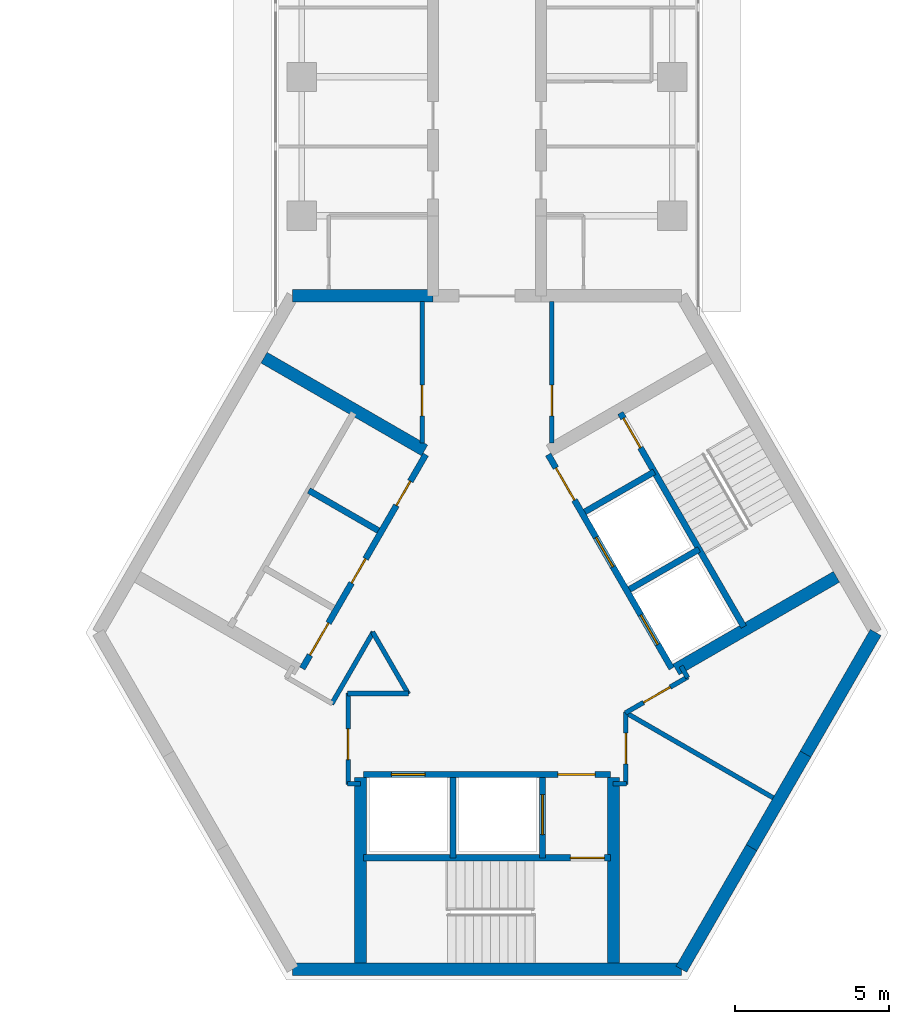
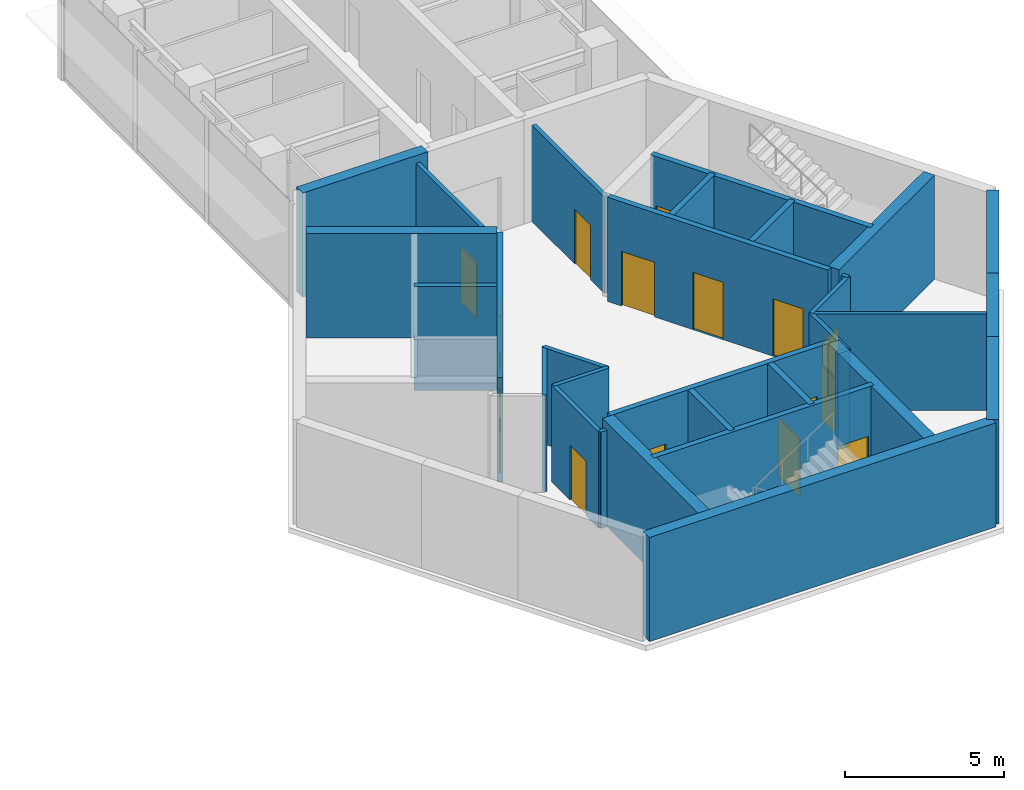
# One storey, part 8 of 11: 31 walls, 16 doors, 16 openings.
"""IFC4 building model written with IfcOpenShell, lengths in metres."""

from ifc_helpers import new_model, si_unit, direction, frame, frame_2d, origin, place, context, subcontext, project, spatial, rectangle, extrude, material, layer, layer_set, type_object, element, fill, save


model = new_model("IFC4")

# Units and contexts
model_context = context("Model", 3, precision=1e-05, world=origin(), true_north=direction((0.0, 1.0)))
body_context = subcontext(model_context, "Body", "Model", "MODEL_VIEW")
ifc_project = project(units=[si_unit("LENGTHUNIT", "METRE"), si_unit("AREAUNIT", "SQUARE_METRE"), si_unit("VOLUMEUNIT", "CUBIC_METRE"), si_unit("PLANEANGLEUNIT", "RADIAN"), si_unit("MASSUNIT", "GRAM", prefix="KILO")], contexts=[model_context])

# Site, building, storey
site_placement = place(None, origin())
site = spatial("IfcSite", under=ifc_project, at=site_placement, CompositionType="ELEMENT")
building_placement = place(site_placement, origin())
building = spatial("IfcBuilding", under=site, at=building_placement, Name="Upepo Twin Towers", CompositionType="ELEMENT")
storey_placement = place(building_placement, frame((0.0, 0.0, 287.5)))
storey = spatial("IfcBuildingStorey", under=building, at=storey_placement, Name="L70", CompositionType="ELEMENT", Elevation=287.5)

# Walls
ifc_material_1 = material(Name="Concrete C60/75", Category="concrete")
ifc_layer_1 = layer(ifc_material_1, 0.39990234375)
ifc_layer_set_1 = layer_set([ifc_layer_1], Name="Concrete C60/75")
wall_type_1 = type_object("IfcWallType", Name="Core wall 400 RC", PredefinedType="SHEAR", material=ifc_layer_set_1)
wall_1_placement = place(storey_placement, frame((56.75, -7.091552734375, 0.0), z_axis=(0.0, 0.0, 1.0), x_axis=(-1.0, 0.0, 0.0)))
element("IfcWall", 1, at=wall_1_placement, inside=storey, type_object=wall_type_1, Name="T2 core wall 000 L", PredefinedType="SHEAR", context=body_context, shape_type="SweptSolid", body=[
    extrude(rectangle(XDim=4.5478515625, YDim=0.39990234375, at=frame_2d((2.27392578125, 0.0))), origin(), (0.0, 0.0, 1.0), 4.0),
])
wall_2_placement = place(storey_placement, frame((52.2021484375, -28.908447265625, 0.0), z_axis=(0.0, 0.0, 1.0), x_axis=(1.0, 0.0, 0.0)))
element("IfcWall", 2, at=wall_2_placement, inside=storey, type_object=wall_type_1, Name="T2 core wall 180", PredefinedType="SHEAR", context=body_context, shape_type="SweptSolid", body=[
    extrude(rectangle(XDim=12.595703125, YDim=0.39990234375, at=frame_2d((6.2978515625, 0.0))), origin(), (0.0, 0.0, 1.0), 4.0),
])
wall_3_placement = place(storey_placement, frame((64.7978515625, -28.908447265625, 0.0), z_axis=(0.0, 0.0, 1.0), x_axis=(0.499984222037, 0.866034513004, 0.0)))
element("IfcWall", 3, at=wall_3_placement, inside=storey, type_object=wall_type_1, Name="T2 core wall 240 R", PredefinedType="SHEAR", context=body_context, shape_type="SweptSolid", body=[
    extrude(rectangle(XDim=4.548095703125, YDim=0.39990234375, at=frame_2d((2.27392578125, 0.0))), origin(), (0.0, 0.0, 1.0), 4.0),
])
wall_4_placement = place(storey_placement, frame((67.07177734375, -24.9697265625, 0.0), z_axis=(0.0, 0.0, 1.0), x_axis=(0.500010275428, 0.866019471182, 0.0)))
element("IfcWall", 4, at=wall_4_placement, inside=storey, type_object=wall_type_1, Name="T2 core wall 240", PredefinedType="SHEAR", context=body_context, shape_type="SweptSolid", body=[
    extrude(rectangle(XDim=3.5, YDim=0.39990234375, at=frame_2d((1.75, 0.0))), origin(), (0.0, 0.0, 1.0), 4.0),
])
wall_5_placement = place(storey_placement, frame((68.82177734375, -21.938720703125, 0.0), z_axis=(0.0, 0.0, 1.0), x_axis=(0.500024481964, 0.866011268655, 0.0)))
element("IfcWall", 5, at=wall_5_placement, inside=storey, type_object=wall_type_1, Name="T2 core wall 240 L", PredefinedType="SHEAR", context=body_context, shape_type="SweptSolid", body=[
    extrude(rectangle(XDim=4.548095703125, YDim=0.39990234375, at=frame_2d((2.27392578125, 0.0))), origin(), (0.0, 0.0, 1.0), 4.0),
])

# Wall, openings, doors
ifc_material_2 = material(Name="Concrete C40/50", Category="concrete")
ifc_layer_2 = layer(ifc_material_2, 0.199951171875)
ifc_layer_set_2 = layer_set([ifc_layer_2], Name="Concrete C40/50")
wall_type_2 = type_object("IfcWallType", Name="Shaft wall 200 RC", PredefinedType="SHEAR", material=ifc_layer_set_2)
wall_6_placement = place(storey_placement, frame((56.516357421875, -12.23583984375, 0.0), z_axis=(0.0, 0.0, 1.0), x_axis=(-0.49999894854, -0.866026010844, 0.0)))
wall_6 = element("IfcWall", 6, at=wall_6_placement, inside=storey, type_object=wall_type_2, Name="T2 core W60 front wall", PredefinedType="SHEAR", context=body_context, shape_type="SweptSolid", body=[
    extrude(rectangle(XDim=8.0, YDim=0.199951171875, at=frame_2d((4.0, 0.0))), origin(), (0.0, 0.0, 1.0), 4.0),
])
opening_1_placement = place(wall_6_placement, frame((6.300048828125, 0.0, 0.0)))
opening_1 = element("IfcOpeningElement", 7, at=opening_1_placement, cuts=wall_6, Name="Opening D4", PredefinedType="OPENING", context=body_context, shape_type="SweptSolid", body=[
    extrude(rectangle(XDim=1.199951171875, YDim=2.10009765625, at=frame_2d((0.60009765625, 1.050048828125))), frame((0.0, 0.10986328125, 0.0), z_axis=(0.0, -1.0, 0.0), x_axis=(1.0, 0.0, 0.0)), (0.0, 0.0, 1.0), 0.219970703125),
])
opening_2_placement = place(wall_6_placement, frame((1.0, 0.0, 0.0)))
opening_2 = element("IfcOpeningElement", 8, at=opening_2_placement, cuts=wall_6, Name="Opening D9", PredefinedType="OPENING", context=body_context, shape_type="SweptSolid", body=[
    extrude(rectangle(XDim=0.89990234375, YDim=2.10009765625, at=frame_2d((0.449951171875, 1.050048828125))), frame((0.0, 0.10986328125, 0.0), z_axis=(0.0, -1.0, 0.0), x_axis=(1.0, 0.0, 0.0)), (0.0, 0.0, 1.0), 0.219970703125),
])
opening_3_placement = place(wall_6_placement, frame((3.89990234375, 0.0, 0.0)))
opening_3 = element("IfcOpeningElement", 9, at=opening_3_placement, cuts=wall_6, Name="Opening D9", PredefinedType="OPENING", context=body_context, shape_type="SweptSolid", body=[
    extrude(rectangle(XDim=0.89990234375, YDim=2.10009765625, at=frame_2d((0.449951171875, 1.050048828125))), frame((0.0, 0.10986328125, 0.0), z_axis=(0.0, -1.0, 0.0), x_axis=(1.0, 0.0, 0.0)), (0.0, 0.0, 1.0), 0.219970703125),
])
ifc_material_3 = material(Name="Timber doorset", Category="wood")
door_type_1 = type_object("IfcDoorType", Name="Lobby door 1200 FD60", OperationType="SINGLE_SWING_LEFT", PredefinedType="DOOR", material=ifc_material_3)
door_1_placement = place(opening_1_placement, origin())
door_1 = element("IfcDoor", 10, at=door_1_placement, inside=storey, type_object=door_type_1, Name="T2 L70 W60 lobby door", OperationType="SINGLE_SWING_RIGHT", OverallHeight=2.10009765625, OverallWidth=1.199951171875, PredefinedType="DOOR", context=body_context, shape_type="SweptSolid", body=[
    extrude(rectangle(XDim=1.199951171875, YDim=2.10009765625, at=frame_2d((0.60009765625, 1.050048828125))), frame((0.0, 0.02490234375, 0.0), z_axis=(0.0, -1.0, 0.0), x_axis=(1.0, 0.0, 0.0)), (0.0, 0.0, 1.0), 0.050048828125),
])
fill(opening_1, door_1)
ifc_material_4 = material(Name="Timber doorset", Category="wood")
door_type_2 = type_object("IfcDoorType", Name="Riser door 900 FD60", OperationType="SINGLE_SWING_LEFT", PredefinedType="DOOR", material=ifc_material_4)
door_2_placement = place(opening_2_placement, origin())
door_2 = element("IfcDoor", 11, at=door_2_placement, inside=storey, type_object=door_type_2, Name="T2 L70 it and communications room door", OperationType="SINGLE_SWING_LEFT", OverallHeight=2.10009765625, OverallWidth=0.89990234375, PredefinedType="DOOR", context=body_context, shape_type="SweptSolid", body=[
    extrude(rectangle(XDim=0.89990234375, YDim=2.10009765625, at=frame_2d((0.449951171875, 1.050048828125))), frame((0.0, 0.02490234375, 0.0), z_axis=(0.0, -1.0, 0.0), x_axis=(1.0, 0.0, 0.0)), (0.0, 0.0, 1.0), 0.050048828125),
])
fill(opening_2, door_2)
door_3_placement = place(opening_3_placement, origin())
door_3 = element("IfcDoor", 12, at=door_3_placement, inside=storey, type_object=door_type_2, Name="T2 L70 archive store door", OperationType="SINGLE_SWING_RIGHT", OverallHeight=2.10009765625, OverallWidth=0.89990234375, PredefinedType="DOOR", context=body_context, shape_type="SweptSolid", body=[
    extrude(rectangle(XDim=0.89990234375, YDim=2.10009765625, at=frame_2d((0.449951171875, 1.050048828125))), frame((0.0, 0.02490234375, 0.0), z_axis=(0.0, -1.0, 0.0), x_axis=(1.0, 0.0, 0.0)), (0.0, 0.0, 1.0), 0.050048828125),
])
fill(opening_3, door_3)

# Wall
wall_7_placement = place(storey_placement, frame((54.979736328125, -14.697265625, 0.0), z_axis=(0.0, 0.0, 1.0), x_axis=(-0.866062058628, 0.499936506574, 0.0)))
element("IfcWall", 13, at=wall_7_placement, inside=storey, type_object=wall_type_2, Name="T2 core W60 shaft divider", PredefinedType="SHEAR", context=body_context, shape_type="SweptSolid", body=[
    extrude(rectangle(XDim=2.599853515625, YDim=0.199951171875, at=frame_2d((1.2998046875, 0.0))), origin(), (0.0, 0.0, 1.0), 4.0),
])

# Wall, openings, doors
wall_8_placement = place(storey_placement, frame((54.5, -22.60009765625, 0.0), z_axis=(0.0, 0.0, 1.0), x_axis=(1.0, 0.0, 0.0)))
wall_8 = element("IfcWall", 14, at=wall_8_placement, inside=storey, type_object=wall_type_2, Name="T2 core W180 front wall", PredefinedType="SHEAR", context=body_context, shape_type="SweptSolid", body=[
    extrude(rectangle(XDim=8.0, YDim=0.199951171875, at=frame_2d((4.0, 0.0))), origin(), (0.0, 0.0, 1.0), 4.0),
])
opening_4_placement = place(wall_8_placement, frame((6.300048828125, 0.0, 0.0)))
opening_4 = element("IfcOpeningElement", 15, at=opening_4_placement, cuts=wall_8, Name="Opening D4", PredefinedType="OPENING", context=body_context, shape_type="SweptSolid", body=[
    extrude(rectangle(XDim=1.199951171875, YDim=2.10009765625, at=frame_2d((0.60009765625, 1.050048828125))), frame((0.0, 0.10986328125, 0.0), z_axis=(0.0, -1.0, 0.0), x_axis=(1.0, 0.0, 0.0)), (0.0, 0.0, 1.0), 0.219970703125),
])
opening_5_placement = place(wall_8_placement, frame((0.89990234375, 0.0, 0.0)))
opening_5 = element("IfcOpeningElement", 16, at=opening_5_placement, cuts=wall_8, Name="Opening LD1", PredefinedType="OPENING", context=body_context, shape_type="SweptSolid", body=[
    extrude(rectangle(XDim=1.10009765625, YDim=2.199951171875, at=frame_2d((0.550048828125, 1.10009765625))), frame((0.0, 0.10986328125, 0.0), z_axis=(0.0, -1.0, 0.0), x_axis=(1.0, 0.0, 0.0)), (0.0, 0.0, 1.0), 0.219970703125),
])
ifc_material_5 = material(Name="Steel doorset", Category="steel")
door_type_3 = type_object("IfcDoorType", Name="Lift landing door 1100", OperationType="DOUBLE_DOOR_SLIDING", PredefinedType="DOOR", material=ifc_material_5)
door_4_placement = place(opening_5_placement, origin())
door_4 = element("IfcDoor", 17, at=door_4_placement, inside=storey, type_object=door_type_3, Name="T2 L70 lift SV1 landing door", OperationType="DOUBLE_DOOR_SLIDING", OverallHeight=2.199951171875, OverallWidth=1.10009765625, PredefinedType="DOOR", context=body_context, shape_type="SweptSolid", body=[
    extrude(rectangle(XDim=1.10009765625, YDim=2.199951171875, at=frame_2d((0.550048828125, 1.10009765625))), frame((0.0, 0.02490234375, 0.0), z_axis=(0.0, -1.0, 0.0), x_axis=(1.0, 0.0, 0.0)), (0.0, 0.0, 1.0), 0.050048828125),
])
fill(opening_5, door_4)
door_5_placement = place(opening_4_placement, origin())
door_5 = element("IfcDoor", 18, at=door_5_placement, inside=storey, type_object=door_type_1, Name="T2 L70 W180 lobby door", OperationType="SINGLE_SWING_RIGHT", OverallHeight=2.10009765625, OverallWidth=1.199951171875, PredefinedType="DOOR", context=body_context, shape_type="SweptSolid", body=[
    extrude(rectangle(XDim=1.199951171875, YDim=2.10009765625, at=frame_2d((0.60009765625, 1.050048828125))), frame((0.0, 0.02490234375, 0.0), z_axis=(0.0, -1.0, 0.0), x_axis=(1.0, 0.0, 0.0)), (0.0, 0.0, 1.0), 0.050048828125),
])
fill(opening_4, door_5)

# Wall
wall_9_placement = place(storey_placement, frame((57.39990234375, -22.699951171875, 0.0), z_axis=(0.0, 0.0, 1.0), x_axis=(0.0, -1.0, 0.0)))
element("IfcWall", 19, at=wall_9_placement, inside=storey, type_object=wall_type_2, Name="T2 core W180 shaft divider", PredefinedType="SHEAR", context=body_context, shape_type="SweptSolid", body=[
    extrude(rectangle(XDim=2.60009765625, YDim=0.199951171875, at=frame_2d((1.300048828125, 0.0))), origin(), (0.0, 0.0, 1.0), 4.0),
])

# Wall, opening, door
wall_10_placement = place(storey_placement, frame((60.300048828125, -22.699951171875, 0.0), z_axis=(0.0, 0.0, 1.0), x_axis=(0.0, -1.0, 0.0)))
wall_10 = element("IfcWall", 20, at=wall_10_placement, inside=storey, type_object=wall_type_2, Name="T2 core W180 lobby wall", PredefinedType="SHEAR", context=body_context, shape_type="SweptSolid", body=[
    extrude(rectangle(XDim=2.60009765625, YDim=0.199951171875, at=frame_2d((1.300048828125, 0.0))), origin(), (0.0, 0.0, 1.0), 4.0),
])
opening_6_placement = place(wall_10_placement, frame((0.550048828125, 0.0, 0.0)))
opening_6 = element("IfcOpeningElement", 21, at=opening_6_placement, cuts=wall_10, Name="Opening LD2", PredefinedType="OPENING", context=body_context, shape_type="SweptSolid", body=[
    extrude(rectangle(XDim=1.300048828125, YDim=2.199951171875, at=frame_2d((0.64990234375, 1.10009765625))), frame((0.0, 0.10986328125, 0.0), z_axis=(0.0, -1.0, 0.0), x_axis=(1.0, 0.0, 0.0)), (0.0, 0.0, 1.0), 0.219970703125),
])
ifc_material_6 = material(Name="Steel doorset", Category="steel")
door_type_4 = type_object("IfcDoorType", Name="Firefighting lift landing door 1300", OperationType="DOUBLE_DOOR_SLIDING", PredefinedType="DOOR", material=ifc_material_6)
door_6_placement = place(opening_6_placement, origin())
door_6 = element("IfcDoor", 22, at=door_6_placement, inside=storey, type_object=door_type_4, Name="T2 L70 firefighting lift landing door", OperationType="DOUBLE_DOOR_SLIDING", OverallHeight=2.199951171875, OverallWidth=1.300048828125, PredefinedType="DOOR", context=body_context, shape_type="SweptSolid", body=[
    extrude(rectangle(XDim=1.300048828125, YDim=2.199951171875, at=frame_2d((0.64990234375, 1.10009765625))), frame((0.0, 0.02490234375, 0.0), z_axis=(0.0, -1.0, 0.0), x_axis=(1.0, 0.0, 0.0)), (0.0, 0.0, 1.0), 0.050048828125),
])
fill(opening_6, door_6)

wall_11_placement = place(storey_placement, frame((54.5, -25.300048828125, 0.0), z_axis=(0.0, 0.0, 1.0), x_axis=(1.0, 0.0, 0.0)))
wall_11 = element("IfcWall", 23, at=wall_11_placement, inside=storey, type_object=wall_type_2, Name="T2 core W180 stair wall", PredefinedType="SHEAR", context=body_context, shape_type="SweptSolid", body=[
    extrude(rectangle(XDim=8.0, YDim=0.199951171875, at=frame_2d((4.0, 0.0))), origin(), (0.0, 0.0, 1.0), 4.0),
])
opening_7_placement = place(wall_11_placement, frame((6.699951171875, 0.0, 0.0)))
opening_7 = element("IfcOpeningElement", 24, at=opening_7_placement, cuts=wall_11, Name="Opening D3", PredefinedType="OPENING", context=body_context, shape_type="SweptSolid", body=[
    extrude(rectangle(XDim=1.10009765625, YDim=2.10009765625, at=frame_2d((0.550048828125, 1.050048828125))), frame((0.0, 0.10986328125, 0.0), z_axis=(0.0, -1.0, 0.0), x_axis=(1.0, 0.0, 0.0)), (0.0, 0.0, 1.0), 0.219970703125),
])
ifc_material_7 = material(Name="Timber doorset", Category="wood")
door_type_5 = type_object("IfcDoorType", Name="Stair door 1100 FD60", OperationType="SINGLE_SWING_LEFT", PredefinedType="DOOR", material=ifc_material_7)
door_7_placement = place(opening_7_placement, origin())
door_7 = element("IfcDoor", 25, at=door_7_placement, inside=storey, type_object=door_type_5, Name="T2 L70 stair door", OperationType="SINGLE_SWING_RIGHT", OverallHeight=2.10009765625, OverallWidth=1.10009765625, PredefinedType="DOOR", context=body_context, shape_type="SweptSolid", body=[
    extrude(rectangle(XDim=1.10009765625, YDim=2.10009765625, at=frame_2d((0.550048828125, 1.050048828125))), frame((0.0, 0.02490234375, 0.0), z_axis=(0.0, -1.0, 0.0), x_axis=(1.0, 0.0, 0.0)), (0.0, 0.0, 1.0), 0.050048828125),
])
fill(opening_7, door_7)

# Wall, openings, doors
wall_12_placement = place(storey_placement, frame((64.483642578125, -19.1640625, 0.0), z_axis=(0.0, 0.0, 1.0), x_axis=(-0.49999894854, 0.866026010844, 0.0)))
wall_12 = element("IfcWall", 26, at=wall_12_placement, inside=storey, type_object=wall_type_2, Name="T2 core W300 front wall", PredefinedType="SHEAR", context=body_context, shape_type="SweptSolid", body=[
    extrude(rectangle(XDim=8.0, YDim=0.199951171875, at=frame_2d((4.0, 0.0))), origin(), (0.0, 0.0, 1.0), 4.0),
])
opening_8_placement = place(wall_12_placement, frame((6.300048828125, 0.0, 0.0)))
opening_8 = element("IfcOpeningElement", 27, at=opening_8_placement, cuts=wall_12, Name="Opening D4", PredefinedType="OPENING", context=body_context, shape_type="SweptSolid", body=[
    extrude(rectangle(XDim=1.199951171875, YDim=2.10009765625, at=frame_2d((0.60009765625, 1.050048828125))), frame((0.0, 0.10986328125, 0.0), z_axis=(0.0, -1.0, 0.0), x_axis=(1.0, 0.0, 0.0)), (0.0, 0.0, 1.0), 0.219970703125),
])
opening_9_placement = place(wall_12_placement, frame((0.89990234375, 0.0, 0.0)))
opening_9 = element("IfcOpeningElement", 28, at=opening_9_placement, cuts=wall_12, Name="Opening LD1", PredefinedType="OPENING", context=body_context, shape_type="SweptSolid", body=[
    extrude(rectangle(XDim=1.10009765625, YDim=2.199951171875, at=frame_2d((0.550048828125, 1.10009765625))), frame((0.0, 0.10986328125, 0.0), z_axis=(0.0, -1.0, 0.0), x_axis=(1.0, 0.0, 0.0)), (0.0, 0.0, 1.0), 0.219970703125),
])
opening_10_placement = place(wall_12_placement, frame((3.800048828125, 0.0, 0.0)))
opening_10 = element("IfcOpeningElement", 29, at=opening_10_placement, cuts=wall_12, Name="Opening LD1", PredefinedType="OPENING", context=body_context, shape_type="SweptSolid", body=[
    extrude(rectangle(XDim=1.10009765625, YDim=2.199951171875, at=frame_2d((0.550048828125, 1.10009765625))), frame((0.0, 0.10986328125, 0.0), z_axis=(0.0, -1.0, 0.0), x_axis=(1.0, 0.0, 0.0)), (0.0, 0.0, 1.0), 0.219970703125),
])
door_8_placement = place(opening_9_placement, origin())
door_8 = element("IfcDoor", 30, at=door_8_placement, inside=storey, type_object=door_type_3, Name="T2 L70 lift TL1 landing door", OperationType="DOUBLE_DOOR_SLIDING", OverallHeight=2.199951171875, OverallWidth=1.10009765625, PredefinedType="DOOR", context=body_context, shape_type="SweptSolid", body=[
    extrude(rectangle(XDim=1.10009765625, YDim=2.199951171875, at=frame_2d((0.550048828125, 1.10009765625))), frame((0.0, 0.02490234375, 0.0), z_axis=(0.0, -1.0, 0.0), x_axis=(1.0, 0.0, 0.0)), (0.0, 0.0, 1.0), 0.050048828125),
])
fill(opening_9, door_8)
door_9_placement = place(opening_10_placement, origin())
door_9 = element("IfcDoor", 31, at=door_9_placement, inside=storey, type_object=door_type_3, Name="T2 L70 lift TL2 landing door", OperationType="DOUBLE_DOOR_SLIDING", OverallHeight=2.199951171875, OverallWidth=1.10009765625, PredefinedType="DOOR", context=body_context, shape_type="SweptSolid", body=[
    extrude(rectangle(XDim=1.10009765625, YDim=2.199951171875, at=frame_2d((0.550048828125, 1.10009765625))), frame((0.0, 0.02490234375, 0.0), z_axis=(0.0, -1.0, 0.0), x_axis=(1.0, 0.0, 0.0)), (0.0, 0.0, 1.0), 0.050048828125),
])
fill(opening_10, door_9)
door_10_placement = place(opening_8_placement, origin())
door_10 = element("IfcDoor", 32, at=door_10_placement, inside=storey, type_object=door_type_1, Name="T2 L70 W300 lobby door", OperationType="SINGLE_SWING_RIGHT", OverallHeight=2.10009765625, OverallWidth=1.199951171875, PredefinedType="DOOR", context=body_context, shape_type="SweptSolid", body=[
    extrude(rectangle(XDim=1.199951171875, YDim=2.10009765625, at=frame_2d((0.60009765625, 1.050048828125))), frame((0.0, 0.02490234375, 0.0), z_axis=(0.0, -1.0, 0.0), x_axis=(1.0, 0.0, 0.0)), (0.0, 0.0, 1.0), 0.050048828125),
])
fill(opening_8, door_10)

# Walls
wall_13_placement = place(storey_placement, frame((63.120361328125, -16.6025390625, 0.0), z_axis=(0.0, 0.0, 1.0), x_axis=(0.866062058628, 0.499936506574, 0.0)))
element("IfcWall", 33, at=wall_13_placement, inside=storey, type_object=wall_type_2, Name="T2 core W300 shaft divider", PredefinedType="SHEAR", context=body_context, shape_type="SweptSolid", body=[
    extrude(rectangle(XDim=2.599853515625, YDim=0.199951171875, at=frame_2d((1.2998046875, 0.0))), origin(), (0.0, 0.0, 1.0), 4.0),
])
wall_14_placement = place(storey_placement, frame((61.67041015625, -14.091064453125, 0.0), z_axis=(0.0, 0.0, 1.0), x_axis=(0.86603858612, 0.49997716683, 0.0)))
element("IfcWall", 34, at=wall_14_placement, inside=storey, type_object=wall_type_2, Name="T2 core W300 lobby wall", PredefinedType="SHEAR", context=body_context, shape_type="SweptSolid", body=[
    extrude(rectangle(XDim=2.599609375, YDim=0.199951171875, at=frame_2d((1.2998046875, 0.0))), origin(), (0.0, 0.0, 1.0), 4.0),
])

# Wall, opening, door
wall_15_placement = place(storey_placement, frame((66.822021484375, -17.814208984375, 0.0), z_axis=(0.0, 0.0, 1.0), x_axis=(-0.49999894854, 0.866026010844, 0.0)))
wall_15 = element("IfcWall", 35, at=wall_15_placement, inside=storey, type_object=wall_type_2, Name="T2 core W300 stair wall", PredefinedType="SHEAR", context=body_context, shape_type="SweptSolid", body=[
    extrude(rectangle(XDim=8.0, YDim=0.199951171875, at=frame_2d((4.0, 0.0))), origin(), (0.0, 0.0, 1.0), 4.0),
])
opening_11_placement = place(wall_15_placement, frame((6.699951171875, 0.0, 0.0)))
opening_11 = element("IfcOpeningElement", 36, at=opening_11_placement, cuts=wall_15, Name="Opening D3", PredefinedType="OPENING", context=body_context, shape_type="SweptSolid", body=[
    extrude(rectangle(XDim=1.10009765625, YDim=2.10009765625, at=frame_2d((0.550048828125, 1.050048828125))), frame((0.0, 0.10986328125, 0.0), z_axis=(0.0, -1.0, 0.0), x_axis=(1.0, 0.0, 0.0)), (0.0, 0.0, 1.0), 0.219970703125),
])
door_11_placement = place(opening_11_placement, origin())
door_11 = element("IfcDoor", 37, at=door_11_placement, inside=storey, type_object=door_type_5, Name="T2 L70 stair door", OperationType="SINGLE_SWING_RIGHT", OverallHeight=2.10009765625, OverallWidth=1.10009765625, PredefinedType="DOOR", context=body_context, shape_type="SweptSolid", body=[
    extrude(rectangle(XDim=1.10009765625, YDim=2.10009765625, at=frame_2d((0.550048828125, 1.050048828125))), frame((0.0, 0.02490234375, 0.0), z_axis=(0.0, -1.0, 0.0), x_axis=(1.0, 0.0, 0.0)), (0.0, 0.0, 1.0), 0.050048828125),
])
fill(opening_11, door_11)

# Walls
ifc_material_8 = material(Name="Concrete C40/50", Category="concrete")
ifc_layer_3 = layer(ifc_material_8, 0.39990234375)
ifc_layer_set_3 = layer_set([ifc_layer_3], Name="Concrete C40/50")
wall_type_3 = type_object("IfcWallType", Name="Shaft wall 400 RC", PredefinedType="SHEAR", material=ifc_layer_set_3)
for number, where, z_axis, x_axis, name in (
    (38, (56.479736328125, -12.099365234375, 0.0), (0.0, 0.0, 1.0), (-0.866026570101, 0.499997979876, 0.0), "T2 core W60 side wall S"),
    (39, (62.60009765625, -22.699951171875, 0.0), (0.0, 0.0, 1.0), (0.0, -1.0, 0.0), "T2 core W180 side wall N"),
    (40, (54.39990234375, -22.699951171875, 0.0), (0.0, 0.0, 1.0), (0.0, -1.0, 0.0), "T2 core W180 side wall S"),
    (41, (64.620361328125, -19.20068359375, 0.0), (0.0, 0.0, 1.0), (0.866026570101, 0.499997979876, 0.0), "T2 core W300 side wall S"),
):
    element("IfcWall", number, at=place(storey_placement, frame(where, z_axis=z_axis, x_axis=x_axis)), inside=storey, type_object=wall_type_3, Name=name, PredefinedType="SHEAR", context=body_context, shape_type="SweptSolid", body=[
        extrude(rectangle(XDim=6.00830078125, YDim=0.39990234375, at=frame_2d((3.004150390625, 0.0))), origin(), (0.0, 0.0, 1.0), 4.0),
    ])
ifc_material_9 = material(Name="Gypsum board on steel studs", Category="steel")
ifc_layer_4 = layer(ifc_material_9, 0.14990234375)
ifc_layer_set_4 = layer_set([ifc_layer_4], Name="Teaching partition 150 acoustic")
wall_type_4 = type_object("IfcWallType", Name="Teaching partition 150 acoustic", PredefinedType="PARTITIONING", material=ifc_layer_set_4)
for number, where, z_axis, x_axis, name in (
    (42, (63.02001953125, -22.89990234375, 0.0), (0.0, 0.0, 1.0), (-1.0, 0.0, 0.0), "T2 core room partition 1"),
    (43, (54.409912109375, -22.89990234375, 0.0), (0.0, 0.0, 1.0), (-1.0, 0.0, 0.0), "T2 core room partition 2"),
):
    element("IfcWall", number, at=place(storey_placement, frame(where, z_axis=z_axis, x_axis=x_axis)), inside=storey, type_object=wall_type_4, Name=name, PredefinedType="PARTITIONING", context=body_context, shape_type="SweptSolid", body=[
        extrude(rectangle(XDim=0.429931640625, YDim=0.14990234375, at=frame_2d((0.21484375, 0.0))), origin(), (0.0, 0.0, 1.0), 3.699951171875),
    ])

# Wall, opening, door
wall_16_placement = place(storey_placement, frame((54.0, -22.919921875, 0.0), z_axis=(0.0, 0.0, 1.0), x_axis=(0.0, 1.0, 0.0)))
wall_16 = element("IfcWall", 44, at=wall_16_placement, inside=storey, type_object=wall_type_4, Name="T2 core room partition 3", PredefinedType="PARTITIONING", context=body_context, shape_type="SweptSolid", body=[
    extrude(rectangle(XDim=2.96484375, YDim=0.14990234375, at=frame_2d((1.482421875, 0.0))), origin(), (0.0, 0.0, 1.0), 3.699951171875),
])
opening_12_placement = place(wall_16_placement, frame((0.800048828125, 0.0, 0.0)))
opening_12 = element("IfcOpeningElement", 45, at=opening_12_placement, cuts=wall_16, Name="Opening D1", PredefinedType="OPENING", context=body_context, shape_type="SweptSolid", body=[
    extrude(rectangle(XDim=1.0, YDim=2.10009765625, at=frame_2d((0.5, 1.050048828125))), frame((0.0, 0.0849609375, 0.0), z_axis=(0.0, -1.0, 0.0), x_axis=(1.0, 0.0, 0.0)), (0.0, 0.0, 1.0), 0.169921875),
])
ifc_material_10 = material(Name="Timber doorset", Category="wood")
door_type_6 = type_object("IfcDoorType", Name="Room door 1000 FD30", OperationType="SINGLE_SWING_LEFT", PredefinedType="DOOR", material=ifc_material_10)
door_12_placement = place(opening_12_placement, origin())
door_12 = element("IfcDoor", 46, at=door_12_placement, inside=storey, type_object=door_type_6, Name="T2 L70 core room door K1", OperationType="SINGLE_SWING_LEFT", OverallHeight=2.10009765625, OverallWidth=1.0, PredefinedType="DOOR", context=body_context, shape_type="SweptSolid", body=[
    extrude(rectangle(XDim=1.0, YDim=2.10009765625, at=frame_2d((0.5, 1.050048828125))), frame((0.0, 0.02490234375, 0.0), z_axis=(0.0, -1.0, 0.0), x_axis=(1.0, 0.0, 0.0)), (0.0, 0.0, 1.0), 0.050048828125),
])
fill(opening_12, door_12)

# Walls
wall_17_placement = place(storey_placement, frame((53.97998046875, -19.97509765625, 0.0), z_axis=(0.0, 0.0, 1.0), x_axis=(1.0, 0.0, 0.0)))
element("IfcWall", 47, at=wall_17_placement, inside=storey, type_object=wall_type_4, Name="T2 core room partition 4", PredefinedType="PARTITIONING", context=body_context, shape_type="SweptSolid", body=[
    extrude(rectangle(XDim=1.985107421875, YDim=0.14990234375, at=frame_2d((0.99267578125, 0.0))), origin(), (0.0, 0.0, 1.0), 3.699951171875),
])
wall_18_placement = place(storey_placement, frame((55.955078125, -19.992431640625, 0.0), z_axis=(0.0, 0.0, 1.0), x_axis=(-0.499941024108, 0.866059450854, 0.0)))
element("IfcWall", 48, at=wall_18_placement, inside=storey, type_object=wall_type_4, Name="T2 core room partition 5", PredefinedType="PARTITIONING", context=body_context, shape_type="SweptSolid", body=[
    extrude(rectangle(XDim=2.320556640625, YDim=0.14990234375, at=frame_2d((1.16015625, 0.0))), origin(), (0.0, 0.0, 1.0), 3.699951171875),
])
wall_19_placement = place(storey_placement, frame((54.81494140625, -17.982666015625, 0.0), z_axis=(0.0, 0.0, 1.0), x_axis=(-0.499981473571, -0.866036099759, 0.0)))
element("IfcWall", 49, at=wall_19_placement, inside=storey, type_object=wall_type_4, Name="T2 core room partition 6", PredefinedType="PARTITIONING", context=body_context, shape_type="SweptSolid", body=[
    extrude(rectangle(XDim=2.6923828125, YDim=0.14990234375, at=frame_2d((1.34619140625, 0.0))), origin(), (0.0, 0.0, 1.0), 3.699951171875),
])

# Wall, opening, door
wall_20_placement = place(storey_placement, frame((56.39990234375, -11.857421875, 0.0), z_axis=(0.0, 0.0, 1.0), x_axis=(0.0, 1.0, 0.0)))
wall_20 = element("IfcWall", 50, at=wall_20_placement, inside=storey, type_object=wall_type_4, Name="T2 core room partition 9", PredefinedType="PARTITIONING", context=body_context, shape_type="SweptSolid", body=[
    extrude(rectangle(XDim=4.57568359375, YDim=0.14990234375, at=frame_2d((2.287841796875, 0.0))), origin(), (0.0, 0.0, 1.0), 3.699951171875),
])
opening_13_placement = place(wall_20_placement, frame((0.87255859375, 0.0, 0.0)))
opening_13 = element("IfcOpeningElement", 51, at=opening_13_placement, cuts=wall_20, Name="Opening D1", PredefinedType="OPENING", context=body_context, shape_type="SweptSolid", body=[
    extrude(rectangle(XDim=1.0, YDim=2.10009765625, at=frame_2d((0.5, 1.050048828125))), frame((0.0, 0.0849609375, 0.0), z_axis=(0.0, -1.0, 0.0), x_axis=(1.0, 0.0, 0.0)), (0.0, 0.0, 1.0), 0.169921875),
])
door_13_placement = place(opening_13_placement, origin())
door_13 = element("IfcDoor", 52, at=door_13_placement, inside=storey, type_object=door_type_6, Name="T2 L70 core room door K5", OperationType="SINGLE_SWING_LEFT", OverallHeight=2.10009765625, OverallWidth=1.0, PredefinedType="DOOR", context=body_context, shape_type="SweptSolid", body=[
    extrude(rectangle(XDim=1.0, YDim=2.10009765625, at=frame_2d((0.5, 1.050048828125))), frame((0.0, 0.02490234375, 0.0), z_axis=(0.0, -1.0, 0.0), x_axis=(1.0, 0.0, 0.0)), (0.0, 0.0, 1.0), 0.050048828125),
])
fill(opening_13, door_13)

wall_21_placement = place(storey_placement, frame((60.60009765625, -7.28173828125, 0.0), z_axis=(0.0, 0.0, 1.0), x_axis=(0.0, -1.0, 0.0)))
wall_21 = element("IfcWall", 53, at=wall_21_placement, inside=storey, type_object=wall_type_4, Name="T2 core room partition 10", PredefinedType="PARTITIONING", context=body_context, shape_type="SweptSolid", body=[
    extrude(rectangle(XDim=4.57568359375, YDim=0.14990234375, at=frame_2d((2.287841796875, 0.0))), origin(), (0.0, 0.0, 1.0), 3.699951171875),
])
opening_14_placement = place(wall_21_placement, frame((2.702880859375, 0.0, 0.0)))
opening_14 = element("IfcOpeningElement", 54, at=opening_14_placement, cuts=wall_21, Name="Opening D1", PredefinedType="OPENING", context=body_context, shape_type="SweptSolid", body=[
    extrude(rectangle(XDim=1.0, YDim=2.10009765625, at=frame_2d((0.5, 1.050048828125))), frame((0.0, 0.0849609375, 0.0), z_axis=(0.0, -1.0, 0.0), x_axis=(1.0, 0.0, 0.0)), (0.0, 0.0, 1.0), 0.169921875),
])
door_14_placement = place(opening_14_placement, origin())
door_14 = element("IfcDoor", 55, at=door_14_placement, inside=storey, type_object=door_type_6, Name="T2 L70 core room door K4", OperationType="SINGLE_SWING_RIGHT", OverallHeight=2.10009765625, OverallWidth=1.0, PredefinedType="DOOR", context=body_context, shape_type="SweptSolid", body=[
    extrude(rectangle(XDim=1.0, YDim=2.10009765625, at=frame_2d((0.5, 1.050048828125))), frame((0.0, 0.02490234375, 0.0), z_axis=(0.0, -1.0, 0.0), x_axis=(1.0, 0.0, 0.0)), (0.0, 0.0, 1.0), 0.050048828125),
])
fill(opening_14, door_14)

# Wall
wall_22_placement = place(storey_placement, frame((64.78857421875, -19.092041015625, 0.0), z_axis=(0.0, 0.0, 1.0), x_axis=(0.499804398801, -0.866138304741, 0.0)))
element("IfcWall", 56, at=wall_22_placement, inside=storey, type_object=wall_type_4, Name="T2 core room partition 11", PredefinedType="PARTITIONING", context=body_context, shape_type="SweptSolid", body=[
    extrude(rectangle(XDim=0.429931640625, YDim=0.14990234375, at=frame_2d((0.21484375, 0.0))), origin(), (0.0, 0.0, 1.0), 3.699951171875),
])

# Wall, opening, door
wall_23_placement = place(storey_placement, frame((65.0107421875, -19.43701171875, 0.0), z_axis=(0.0, 0.0, 1.0), x_axis=(-0.865982457891, -0.500074377092, 0.0)))
wall_23 = element("IfcWall", 57, at=wall_23_placement, inside=storey, type_object=wall_type_4, Name="T2 core room partition 12", PredefinedType="PARTITIONING", context=body_context, shape_type="SweptSolid", body=[
    extrude(rectangle(XDim=2.342041015625, YDim=0.14990234375, at=frame_2d((1.1708984375, 0.0))), origin(), (0.0, 0.0, 1.0), 3.699951171875),
])
opening_15_placement = place(wall_23_placement, frame((0.660888671875, 0.0, 0.0)))
opening_15 = element("IfcOpeningElement", 58, at=opening_15_placement, cuts=wall_23, Name="Opening D1", PredefinedType="OPENING", context=body_context, shape_type="SweptSolid", body=[
    extrude(rectangle(XDim=1.0, YDim=2.10009765625, at=frame_2d((0.5, 1.050048828125))), frame((0.0, 0.0849609375, 0.0), z_axis=(0.0, -1.0, 0.0), x_axis=(1.0, 0.0, 0.0)), (0.0, 0.0, 1.0), 0.169921875),
])
door_15_placement = place(opening_15_placement, origin())
door_15 = element("IfcDoor", 59, at=door_15_placement, inside=storey, type_object=door_type_6, Name="T2 L70 core room door K3", OperationType="SINGLE_SWING_LEFT", OverallHeight=2.10009765625, OverallWidth=1.0, PredefinedType="DOOR", context=body_context, shape_type="SweptSolid", body=[
    extrude(rectangle(XDim=1.0, YDim=2.10009765625, at=frame_2d((0.5, 1.050048828125))), frame((0.0, 0.02490234375, 0.0), z_axis=(0.0, -1.0, 0.0), x_axis=(1.0, 0.0, 0.0)), (0.0, 0.0, 1.0), 0.050048828125),
])
fill(opening_15, door_15)

wall_24_placement = place(storey_placement, frame((63.0, -20.578125, 0.0), z_axis=(0.0, 0.0, 1.0), x_axis=(0.0, -1.0, 0.0)))
wall_24 = element("IfcWall", 60, at=wall_24_placement, inside=storey, type_object=wall_type_4, Name="T2 core room partition 13", PredefinedType="PARTITIONING", context=body_context, shape_type="SweptSolid", body=[
    extrude(rectangle(XDim=2.341796875, YDim=0.14990234375, at=frame_2d((1.1708984375, 0.0))), origin(), (0.0, 0.0, 1.0), 3.699951171875),
])
opening_16_placement = place(wall_24_placement, frame((0.68115234375, 0.0, 0.0)))
opening_16 = element("IfcOpeningElement", 61, at=opening_16_placement, cuts=wall_24, Name="Opening D1", PredefinedType="OPENING", context=body_context, shape_type="SweptSolid", body=[
    extrude(rectangle(XDim=1.0, YDim=2.10009765625, at=frame_2d((0.5, 1.050048828125))), frame((0.0, 0.0849609375, 0.0), z_axis=(0.0, -1.0, 0.0), x_axis=(1.0, 0.0, 0.0)), (0.0, 0.0, 1.0), 0.169921875),
])
door_16_placement = place(opening_16_placement, origin())
door_16 = element("IfcDoor", 62, at=door_16_placement, inside=storey, type_object=door_type_6, Name="T2 L70 core room door K2", OperationType="SINGLE_SWING_RIGHT", OverallHeight=2.10009765625, OverallWidth=1.0, PredefinedType="DOOR", context=body_context, shape_type="SweptSolid", body=[
    extrude(rectangle(XDim=1.0, YDim=2.10009765625, at=frame_2d((0.5, 1.050048828125))), frame((0.0, 0.02490234375, 0.0), z_axis=(0.0, -1.0, 0.0), x_axis=(1.0, 0.0, 0.0)), (0.0, 0.0, 1.0), 0.050048828125),
])
fill(opening_16, door_16)

# Wall
wall_25_placement = place(storey_placement, frame((63.074951171875, -20.641357421875, 0.0), z_axis=(0.0, 0.0, 1.0), x_axis=(0.866019232626, -0.500010688608, 0.0)))
element("IfcWall", 63, at=wall_25_placement, inside=storey, type_object=wall_type_4, Name="T2 core room partition 14", PredefinedType="PARTITIONING", context=body_context, shape_type="SweptSolid", body=[
    extrude(rectangle(XDim=5.42578125, YDim=0.14990234375, at=frame_2d((2.712890625, 0.0))), origin(), (0.0, 0.0, 1.0), 3.699951171875),
])

save(model, "model.ifc")
